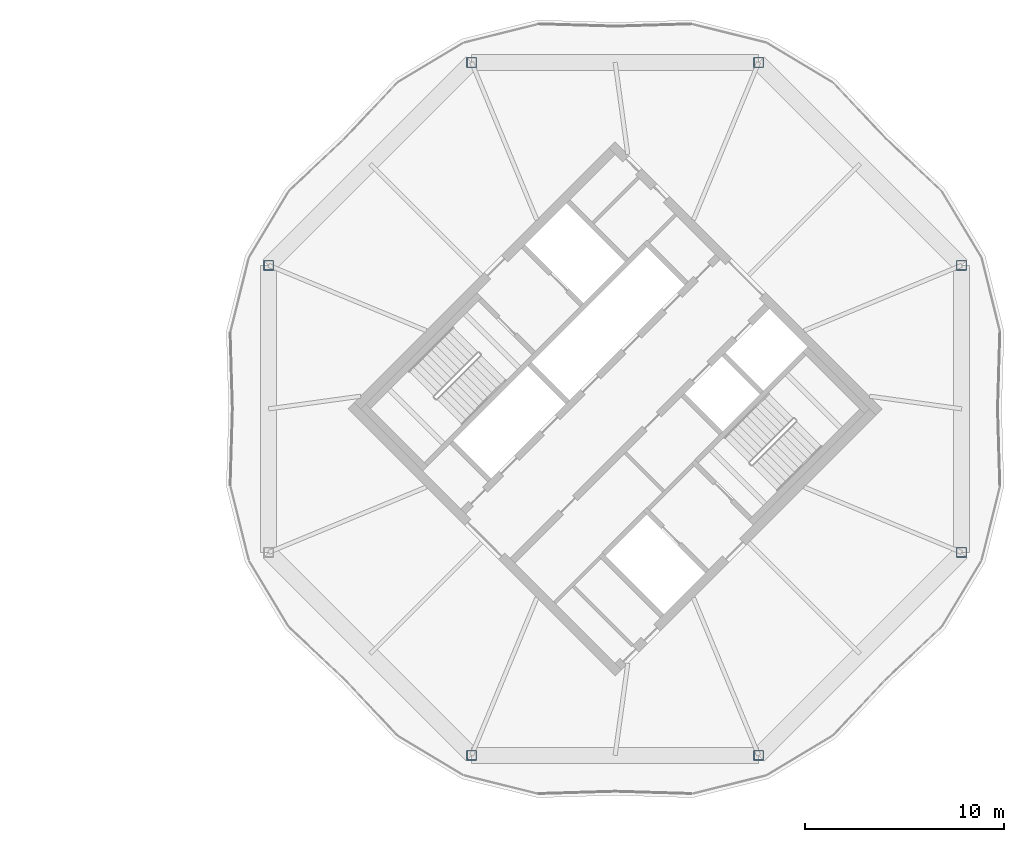
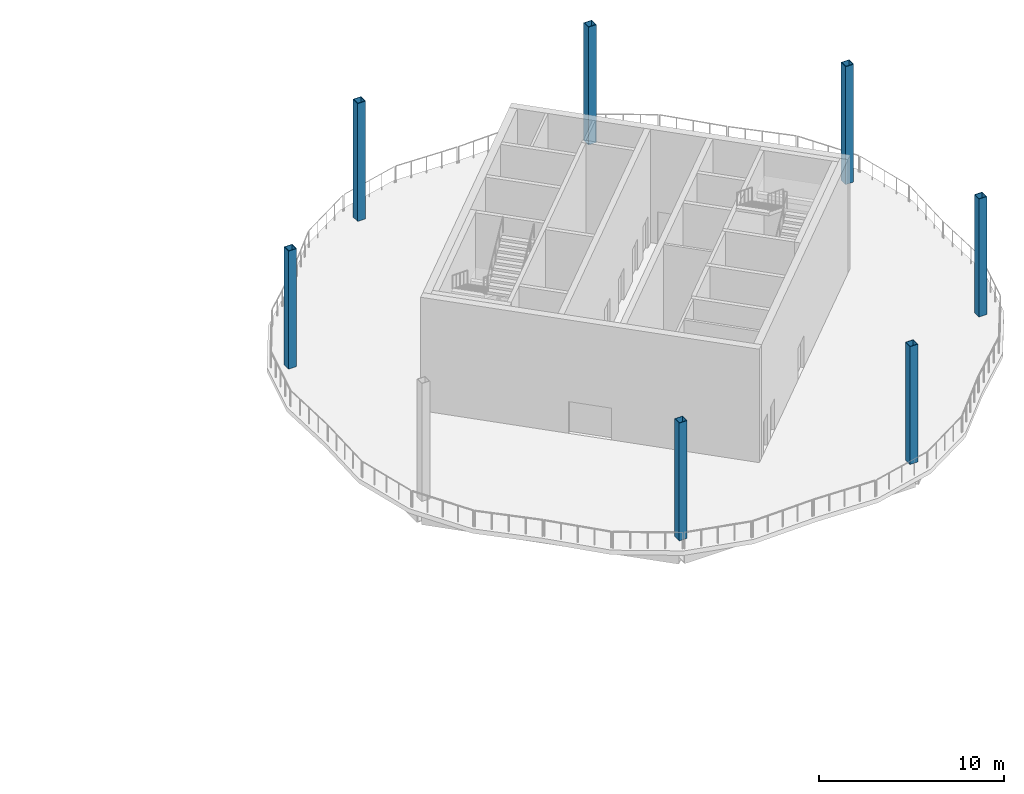
# One storey, part 2 of 12: 7 columns.
"""IFC4 building model written with IfcOpenShell, lengths in metres."""

from ifc_helpers import new_model, si_unit, direction, frame, origin, origin_2d, place, context, subcontext, project, spatial, hollow_rectangle, extrude, material, material_profile, profile_set, type_object, element, save


model = new_model("IFC4")

# Units and contexts
model_context = context("Model", 3, precision=1e-05, world=origin(), true_north=direction((0.0, 1.0)))
body_context = subcontext(model_context, "Body", "Model", "MODEL_VIEW")
ifc_project = project(units=[si_unit("LENGTHUNIT", "METRE"), si_unit("AREAUNIT", "SQUARE_METRE"), si_unit("VOLUMEUNIT", "CUBIC_METRE"), si_unit("PLANEANGLEUNIT", "RADIAN"), si_unit("MASSUNIT", "GRAM", prefix="KILO")], contexts=[model_context])

# Site, building, storey
site_placement = place(None, origin())
site = spatial("IfcSite", under=ifc_project, at=site_placement, CompositionType="ELEMENT")
building_placement = place(site_placement, origin())
building = spatial("IfcBuilding", under=site, at=building_placement, Name="Ogive Gate Towers", CompositionType="ELEMENT")
storey_placement = place(building_placement, frame((0.0, 0.0, 248.39990234375)))
storey = spatial("IfcBuildingStorey", under=building, at=storey_placement, Name="L59", CompositionType="ELEMENT", Elevation=248.39990234375)

# Columns
ifc_material = material(Name="Steel SM460", Category="steel")
ifc_material_profile = material_profile(ifc_material, hollow_rectangle(XDim=0.5, YDim=0.5, WallThickness=0.030029296875, at=origin_2d()), Name="BX 500x500x30")
ifc_profile_set = profile_set([ifc_material_profile], Name="Steel SM460")
column_type = type_object("IfcColumnType", Name="Perimeter post BX 500x500x30", PredefinedType="COLUMN", material=ifc_profile_set)
for number, where, z_axis, x_axis, name in (
    (1, (53.42431640625, 7.217529296875, 0.0), (0.0, 0.0, 1.0), (1.0, 0.0, 0.0), "T2/L59/SCL001"),
    (2, (43.217529296875, 17.42431640625, 0.0), (0.0, 0.0, 1.0), (1.0, 0.0, 0.0), "T2/L59/SCL002"),
    (3, (28.782470703125, 17.42431640625, 0.0), (0.0, 0.0, 1.0), (1.0, 0.0, 0.0), "T2/L59/SCL003"),
    (4, (18.57568359375, 7.217529296875, 0.0), (0.0, 0.0, 1.0), (1.0, 0.0, 0.0), "T2/L59/SCL004"),
    (5, (28.782470703125, -17.42431640625, 0.0), (0.0, 0.0, 1.0), (1.0, 0.0, 0.0), "T2/L59/SCL006"),
    (6, (43.217529296875, -17.42431640625, 0.0), (0.0, 0.0, 1.0), (1.0, 0.0, 0.0), "T2/L59/SCL007"),
    (7, (53.42431640625, -7.217529296875, 0.0), (0.0, 0.0, 1.0), (1.0, 0.0, 0.0), "T2/L59/SCL008"),
):
    element("IfcColumn", number, at=place(storey_placement, frame(where, z_axis=z_axis, x_axis=x_axis)), inside=storey, type_object=column_type, Name=name, PredefinedType="COLUMN", context=body_context, shape_type="SweptSolid", body=[
        extrude(hollow_rectangle(XDim=0.5, YDim=0.5, WallThickness=0.030029296875, at=origin_2d()), origin(), (0.0, 0.0, 1.0), 7.800048828125),
    ])

save(model, "model.ifc")
